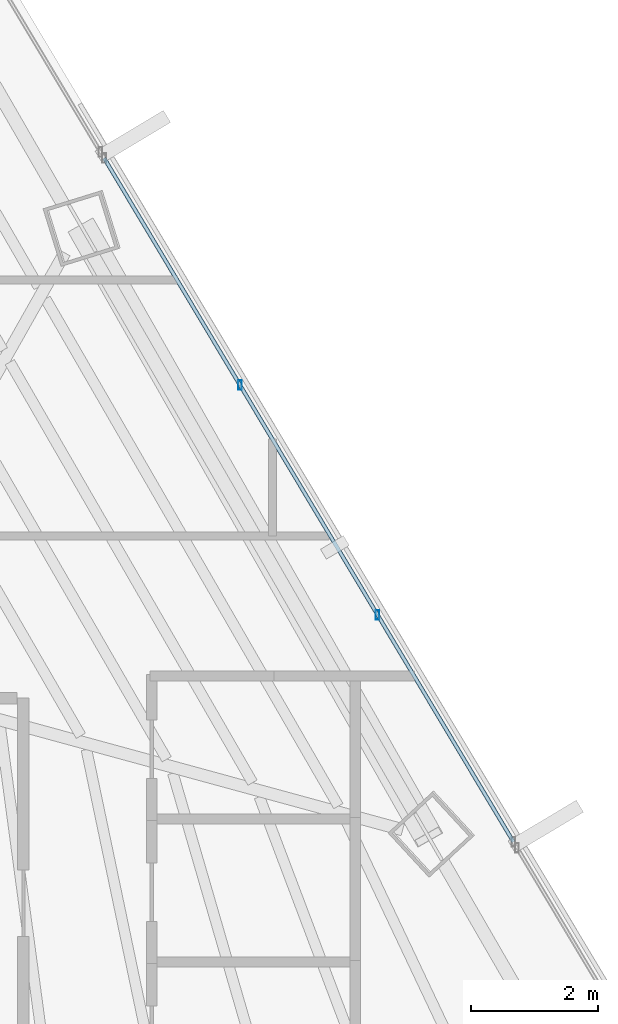
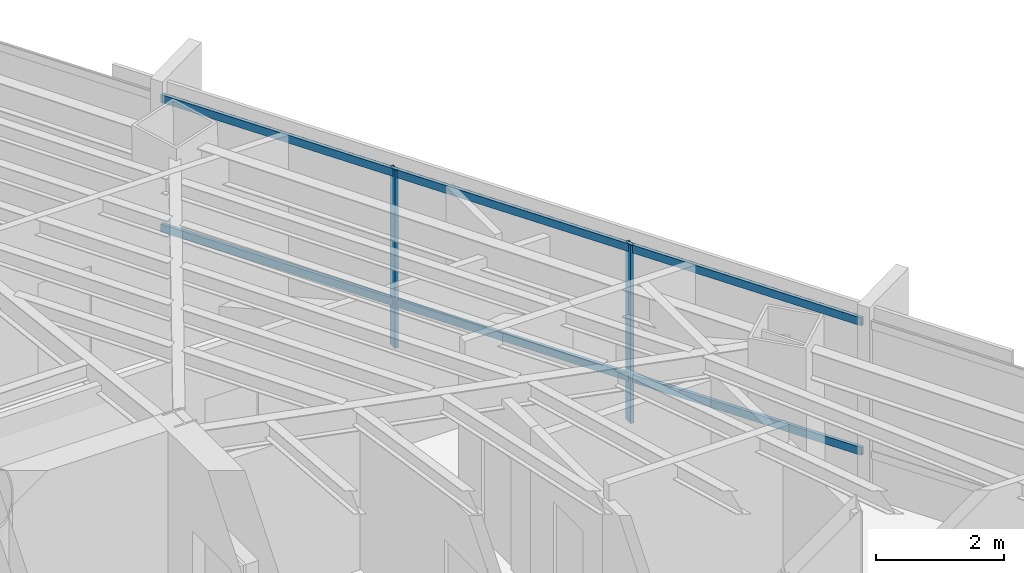
# One storey, part 24 of 41: 4 members, 1 element without a shape of its own.
"""IFC4 building model written with IfcOpenShell, lengths in metres."""

from ifc_helpers import new_model, si_unit, direction, frame, origin, origin_2d, place, context, subcontext, project, spatial, hollow_rectangle, extrude, source, transform, mapped, material, material_profile, profile_set, type_object, type_shapes, element, aggregate, save


model = new_model("IFC4")

# Units and contexts
model_context = context("Model", 3, precision=1e-05, world=origin(), true_north=direction((0.0, 1.0)))
body_context = subcontext(model_context, "Body", "Model", "MODEL_VIEW")
ifc_project = project(units=[si_unit("LENGTHUNIT", "METRE"), si_unit("AREAUNIT", "SQUARE_METRE"), si_unit("VOLUMEUNIT", "CUBIC_METRE"), si_unit("PLANEANGLEUNIT", "RADIAN"), si_unit("MASSUNIT", "GRAM", prefix="KILO")], contexts=[model_context])

# Site, building, storey
site_placement = place(None, origin())
site = spatial("IfcSite", under=ifc_project, at=site_placement, CompositionType="ELEMENT")
building_placement = place(site_placement, origin())
building = spatial("IfcBuilding", under=site, at=building_placement, Name="Caelisora Broadcast Tower", CompositionType="ELEMENT")
storey_placement = place(building_placement, frame((0.0, 0.0, 165.800048828125)))
storey = spatial("IfcBuildingStorey", under=building, at=storey_placement, Name="L43", CompositionType="ELEMENT", Elevation=165.800048828125)

# Curtain wall, members
ifc_material_1 = material(Name="Unitised Aluminium Insulated Shadow-Box Spandrel Curtain Wall", Category="aluminium")
curtain_wall_type = type_object("IfcCurtainWallType", Name="CW-SP2", PredefinedType="NOTDEFINED", material=ifc_material_1)
curtain_wall_placement = place(storey_placement, origin())
curtain_wall = element("IfcCurtainWall", 1, at=curtain_wall_placement, inside=storey, type_object=curtain_wall_type, Name="L43 curtain wall CW-SP2", PredefinedType="NOTDEFINED")
ifc_material_2 = material(Name="Aluminium 6063-T6 Anodised Terracotta Bronze", Category="aluminium")
ifc_material_profile_1 = material_profile(ifc_material_2, hollow_rectangle(XDim=0.06005859375, YDim=0.14990234375, WallThickness=0.00341796875, at=origin_2d()), Name="Aluminium 6063-T6 Anodised Terracotta Bronze")
ifc_profile_set_1 = profile_set([ifc_material_profile_1], Name="Aluminium 6063-T6 Anodised Terracotta Bronze")
member_type_1 = type_object("IfcMemberType", Name="CWM-03", PredefinedType="MULLION", material=ifc_profile_set_1)
shared_shape_1 = source(origin(), body_context, "Body", "SweptSolid", [
    extrude(hollow_rectangle(XDim=0.06005859375, YDim=0.14990234375, WallThickness=0.00341796875, at=origin_2d()), origin(), (0.0, 0.0, 1.0), 3.39990234375),
])
type_shapes(member_type_1, [shared_shape_1])
member_1_placement = place(storey_placement, frame((51.98828125, 34.524658203125, 0.0), z_axis=(0.0, 0.0, 1.0), x_axis=(1.0, 0.0, 0.0)))
member_1 = element("IfcMember", 2, at=member_1_placement, type_object=member_type_1, Name="L43-CW-B02 mullion #1", PredefinedType="MULLION", context=body_context, shape_type="MappedRepresentation", body=[
    mapped(shared_shape_1, transform((0.0, 0.0, 0.0), scale=1.0)),
])
member_2_placement = place(storey_placement, frame((54.1513671875, 30.9111328125, 0.0), z_axis=(0.0, 0.0, 1.0), x_axis=(1.0, 0.0, 0.0)))
member_2 = element("IfcMember", 3, at=member_2_placement, type_object=member_type_1, Name="L43-CW-B02 mullion #2", PredefinedType="MULLION", context=body_context, shape_type="MappedRepresentation", body=[
    mapped(shared_shape_1, transform((0.0, 0.0, 0.0), scale=1.0)),
])
ifc_material_profile_2 = material_profile(ifc_material_2, hollow_rectangle(XDim=0.06005859375, YDim=0.14990234375, WallThickness=0.00341796875, at=origin_2d()), Name="Aluminium 6063-T6 Anodised Terracotta Bronze")
ifc_profile_set_2 = profile_set([ifc_material_profile_2], Name="Aluminium 6063-T6 Anodised Terracotta Bronze")
member_type_2 = type_object("IfcMemberType", Name="CWT-02", PredefinedType="USERDEFINED", material=ifc_profile_set_2)
shared_shape_2 = source(origin(), body_context, "Body", "SweptSolid", [
    extrude(hollow_rectangle(XDim=0.06005859375, YDim=0.14990234375, WallThickness=0.00341796875, at=origin_2d()), origin(), (0.0, 0.0, 1.0), 12.53466796875),
])
type_shapes(member_type_2, [shared_shape_2])
member_3_placement = place(storey_placement, frame((49.850830078125, 38.09521484375, 0.849853515625), z_axis=(0.513619003718, -0.858018367531, 0.0), x_axis=(0.858018367531, 0.513619003718, 0.0)))
member_3 = element("IfcMember", 4, at=member_3_placement, type_object=member_type_2, Name="L43-CW-B02 transom #1", ObjectType="TRANSOM", PredefinedType="USERDEFINED", context=body_context, shape_type="MappedRepresentation", body=[
    mapped(shared_shape_2, transform((0.0, 0.0, 0.0), scale=1.0)),
])
member_4_placement = place(storey_placement, frame((49.850830078125, 38.09521484375, 3.320068359375), z_axis=(0.513619003718, -0.858018367531, 0.0), x_axis=(0.858018367531, 0.513619003718, 0.0)))
member_4 = element("IfcMember", 5, at=member_4_placement, type_object=member_type_2, Name="L43-CW-B02 transom #2", ObjectType="TRANSOM", PredefinedType="USERDEFINED", context=body_context, shape_type="MappedRepresentation", body=[
    mapped(shared_shape_2, transform((0.0, 0.0, 0.0), scale=1.0)),
])
aggregate(curtain_wall, [member_1, member_2, member_3, member_4])

save(model, "model.ifc")
